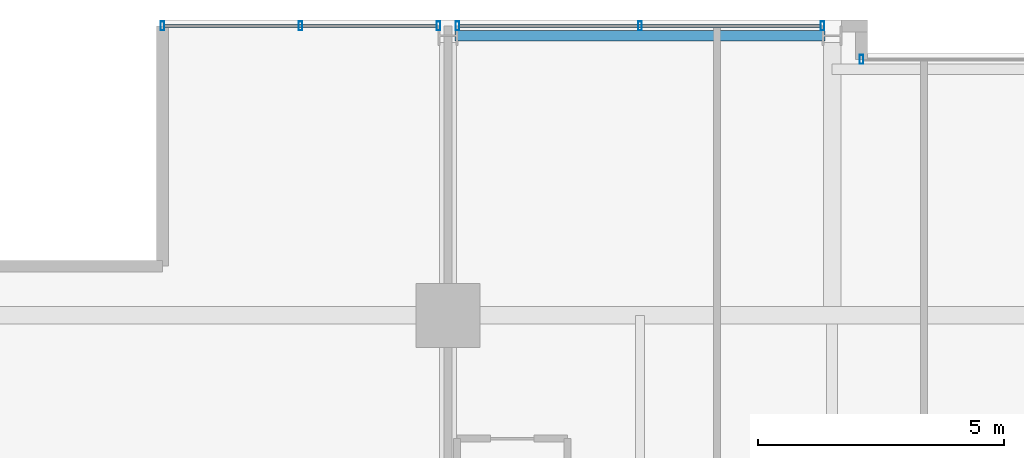
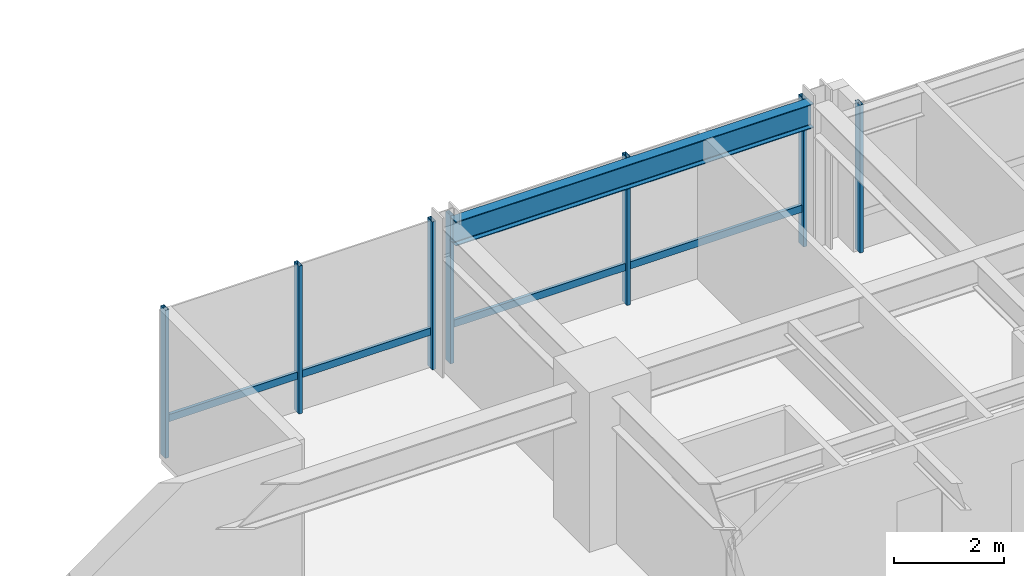
# One storey, part 19 of 31: 9 members, 1 beam, 3 elements without a shape of their own.
"""IFC4 building model written with IfcOpenShell, lengths in metres."""

from ifc_helpers import new_model, si_unit, direction, frame, origin, origin_2d, place, context, subcontext, project, spatial, hollow_rectangle, i_section, extrude, material, layer, layer_set, material_profile, profile_set, type_object, element, aggregate, save


model = new_model("IFC4")

# Units and contexts
model_context = context("Model", 3, precision=1e-05, world=origin(), true_north=direction((0.0, 1.0)))
body_context = subcontext(model_context, "Body", "Model", "MODEL_VIEW")
ifc_project = project(units=[si_unit("LENGTHUNIT", "METRE"), si_unit("AREAUNIT", "SQUARE_METRE"), si_unit("VOLUMEUNIT", "CUBIC_METRE"), si_unit("PLANEANGLEUNIT", "RADIAN"), si_unit("MASSUNIT", "GRAM", prefix="KILO")], contexts=[model_context])

# Site, building, storey
site_placement = place(None, origin())
site = spatial("IfcSite", under=ifc_project, at=site_placement, CompositionType="ELEMENT")
building_placement = place(site_placement, origin())
building = spatial("IfcBuilding", under=site, at=building_placement, Name="Drelvath Grand Hotel", CompositionType="ELEMENT")
storey_placement = place(building_placement, frame((0.0, 0.0, 185.89990234375)))
storey = spatial("IfcBuildingStorey", under=building, at=storey_placement, Name="L48", CompositionType="ELEMENT", Elevation=185.89990234375)

# Curtain wall, member
ifc_material_1 = material(Name="Brushed Pale-Silver Anodised Aluminium Frame", Category="aluminium")
ifc_layer = layer(ifc_material_1, 0.199951171875)
ifc_layer_set = layer_set([ifc_layer], Name="Brushed Pale-Silver Anodised Aluminium Frame")
curtain_wall_type = type_object("IfcCurtainWallType", Name="Stick Curtain Wall CW-04 Brushed Silver Upper-Mid", PredefinedType="NOTDEFINED", material=ifc_layer_set)
curtain_wall_1_placement = place(storey_placement, origin())
curtain_wall_1 = element("IfcCurtainWall", 1, at=curtain_wall_1_placement, inside=storey, type_object=curtain_wall_type, Name="L48 CW-04 Curtain Wall CW04-L48-NW1", PredefinedType="NOTDEFINED")
ifc_material_profile_1 = material_profile(ifc_material_1, hollow_rectangle(XDim=0.06494140625, YDim=0.159912109375, WallThickness=0.00390625, at=origin_2d()), Name="HSS160X65X4")
ifc_profile_set_1 = profile_set([ifc_material_profile_1], Name="Brushed Pale-Silver Anodised Aluminium Frame")
member_type_1 = type_object("IfcMemberType", Name="Curtain Wall Horizontal Transom CW-04 HSS160X65X4", PredefinedType="USERDEFINED", material=ifc_profile_set_1)
member_1_placement = place(storey_placement, frame((-21.9599609375, 49.080078125, 0.822509765625), z_axis=(1.0, 0.0, 0.0), x_axis=(0.0, 1.0, 0.0)))
member_1 = element("IfcMember", 2, at=member_1_placement, type_object=member_type_1, Name="CW04-L48-NW1 Sill Transom", ObjectType="TRANSOM", PredefinedType="USERDEFINED", context=body_context, shape_type="SweptSolid", body=[
    extrude(hollow_rectangle(XDim=0.06494140625, YDim=0.159912109375, WallThickness=0.00390625, at=origin_2d()), origin(), (0.0, 0.0, 1.0), 5.5283203125),
])

curtain_wall_2_placement = place(storey_placement, origin())
curtain_wall_2 = element("IfcCurtainWall", 3, at=curtain_wall_2_placement, inside=storey, type_object=curtain_wall_type, Name="L48 CW-04 Curtain Wall CW04-L48-NW2", PredefinedType="NOTDEFINED")
member_2_placement = place(storey_placement, frame((-15.968505859375, 49.080078125, 0.822509765625), z_axis=(1.0, 0.0, 0.0), x_axis=(0.0, 1.0, 0.0)))
member_2 = element("IfcMember", 4, at=member_2_placement, type_object=member_type_1, Name="CW04-L48-NW2 Sill Transom", ObjectType="TRANSOM", PredefinedType="USERDEFINED", context=body_context, shape_type="SweptSolid", body=[
    extrude(hollow_rectangle(XDim=0.06494140625, YDim=0.159912109375, WallThickness=0.00390625, at=origin_2d()), origin(), (0.0, 0.0, 1.0), 7.3369140625),
])

# Member
ifc_material_profile_2 = material_profile(ifc_material_1, hollow_rectangle(XDim=0.074951171875, YDim=0.179931640625, WallThickness=0.0048828125, at=origin_2d()), Name="HSS180X75X5")
ifc_profile_set_2 = profile_set([ifc_material_profile_2], Name="Brushed Pale-Silver Anodised Aluminium Frame")
member_type_2 = type_object("IfcMemberType", Name="Curtain Wall Vertical Mullion CW-04 HSS180X75X5", PredefinedType="MULLION", material=ifc_profile_set_2)
member_3_placement = place(storey_placement, frame((-22.0, 49.080078125, 0.0), z_axis=(0.0, 0.0, 1.0), x_axis=(1.0, 0.0, 0.0)))
member_3 = element("IfcMember", 5, at=member_3_placement, type_object=member_type_2, Name="CW04-L48-NW1 Mullion 1", PredefinedType="MULLION", context=body_context, shape_type="SweptSolid", body=[
    extrude(hollow_rectangle(XDim=0.074951171875, YDim=0.179931640625, WallThickness=0.0048828125, at=origin_2d()), origin(), (0.0, 0.0, 1.0), 3.2900390625),
])

member_4_placement = place(storey_placement, frame((-19.19580078125, 49.080078125, 0.0), z_axis=(0.0, 0.0, 1.0), x_axis=(1.0, 0.0, 0.0)))
member_4 = element("IfcMember", 6, at=member_4_placement, type_object=member_type_2, Name="CW04-L48-NW1 Mullion 2", PredefinedType="MULLION", context=body_context, shape_type="SweptSolid", body=[
    extrude(hollow_rectangle(XDim=0.074951171875, YDim=0.179931640625, WallThickness=0.0048828125, at=origin_2d()), origin(), (0.0, 0.0, 1.0), 3.2900390625),
])

member_5_placement = place(storey_placement, frame((-16.3916015625, 49.080078125, 0.0), z_axis=(0.0, 0.0, 1.0), x_axis=(1.0, 0.0, 0.0)))
member_5 = element("IfcMember", 7, at=member_5_placement, type_object=member_type_2, Name="CW04-L48-NW1 Mullion 3", PredefinedType="MULLION", context=body_context, shape_type="SweptSolid", body=[
    extrude(hollow_rectangle(XDim=0.074951171875, YDim=0.179931640625, WallThickness=0.0048828125, at=origin_2d()), origin(), (0.0, 0.0, 1.0), 3.2900390625),
])

aggregate(curtain_wall_1, [member_3, member_4, member_5, member_1])

member_6_placement = place(storey_placement, frame((-16.00830078125, 49.080078125, 0.0), z_axis=(0.0, 0.0, 1.0), x_axis=(1.0, 0.0, 0.0)))
member_6 = element("IfcMember", 8, at=member_6_placement, type_object=member_type_2, Name="CW04-L48-NW2 Mullion 1", PredefinedType="MULLION", context=body_context, shape_type="SweptSolid", body=[
    extrude(hollow_rectangle(XDim=0.074951171875, YDim=0.179931640625, WallThickness=0.0048828125, at=origin_2d()), origin(), (0.0, 0.0, 1.0), 3.2900390625),
])

member_7_placement = place(storey_placement, frame((-12.300048828125, 49.080078125, 0.0), z_axis=(0.0, 0.0, 1.0), x_axis=(1.0, 0.0, 0.0)))
member_7 = element("IfcMember", 9, at=member_7_placement, type_object=member_type_2, Name="CW04-L48-NW2 Mullion 2", PredefinedType="MULLION", context=body_context, shape_type="SweptSolid", body=[
    extrude(hollow_rectangle(XDim=0.074951171875, YDim=0.179931640625, WallThickness=0.0048828125, at=origin_2d()), origin(), (0.0, 0.0, 1.0), 3.2900390625),
])

member_8_placement = place(storey_placement, frame((-8.591796875, 49.080078125, 0.0), z_axis=(0.0, 0.0, 1.0), x_axis=(1.0, 0.0, 0.0)))
member_8 = element("IfcMember", 10, at=member_8_placement, type_object=member_type_2, Name="CW04-L48-NW2 Mullion 3", PredefinedType="MULLION", context=body_context, shape_type="SweptSolid", body=[
    extrude(hollow_rectangle(XDim=0.074951171875, YDim=0.179931640625, WallThickness=0.0048828125, at=origin_2d()), origin(), (0.0, 0.0, 1.0), 3.2900390625),
])

aggregate(curtain_wall_2, [member_6, member_7, member_8, member_2])

# Curtain wall, member
curtain_wall_3_placement = place(storey_placement, origin())
curtain_wall_3 = element("IfcCurtainWall", 11, at=curtain_wall_3_placement, inside=storey, type_object=curtain_wall_type, Name="L48 CW-04 Curtain Wall CW04-L48-NM1", PredefinedType="NOTDEFINED")
member_9_placement = place(storey_placement, frame((-7.800048828125, 48.39990234375, 0.0), z_axis=(0.0, 0.0, 1.0), x_axis=(1.0, 0.0, 0.0)))
member_9 = element("IfcMember", 12, at=member_9_placement, type_object=member_type_2, Name="CW04-L48-NM1 Mullion 1", PredefinedType="MULLION", context=body_context, shape_type="SweptSolid", body=[
    extrude(hollow_rectangle(XDim=0.074951171875, YDim=0.179931640625, WallThickness=0.0048828125, at=origin_2d()), origin(), (0.0, 0.0, 1.0), 3.2900390625),
])
aggregate(curtain_wall_3, [member_9])

# Beam
ifc_material_2 = material(Name="Steel ASTM A992 Gr 50", Category="steel")
ifc_material_profile_3 = material_profile(ifc_material_2, i_section(OverallWidth=0.210205078125, OverallDepth=0.53662109375, WebThickness=0.010986328125, FlangeThickness=0.017333984375, FilletRadius=0.01806640625, at=origin_2d()), Name="W21X68")
ifc_profile_set_3 = profile_set([ifc_material_profile_3], Name="Steel ASTM A992 Gr 50")
beam_type = type_object("IfcBeamType", Name="Perimeter Spandrel Beam W21X68", PredefinedType="SPANDREL", material=ifc_profile_set_3)
beam_placement = place(storey_placement, frame((-16.06005859375, 48.8798828125, 3.021728515625), z_axis=(1.0, 0.0, 0.0), x_axis=(0.0, 1.0, 0.0)))
element("IfcBeam", 13, at=beam_placement, inside=storey, type_object=beam_type, Name="L48 Spandrel North W", PredefinedType="SPANDREL", context=body_context, shape_type="SweptSolid", body=[
    extrude(i_section(OverallWidth=0.210205078125, OverallDepth=0.53662109375, WebThickness=0.010986328125, FlangeThickness=0.017333984375, FilletRadius=0.01806640625, at=origin_2d()), origin(), (0.0, 0.0, 1.0), 7.52001953125),
])

save(model, "model.ifc")
